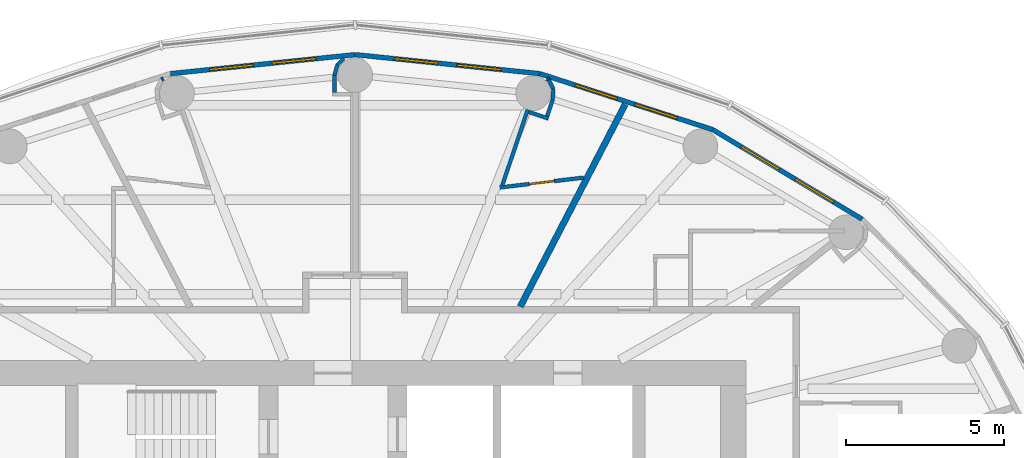
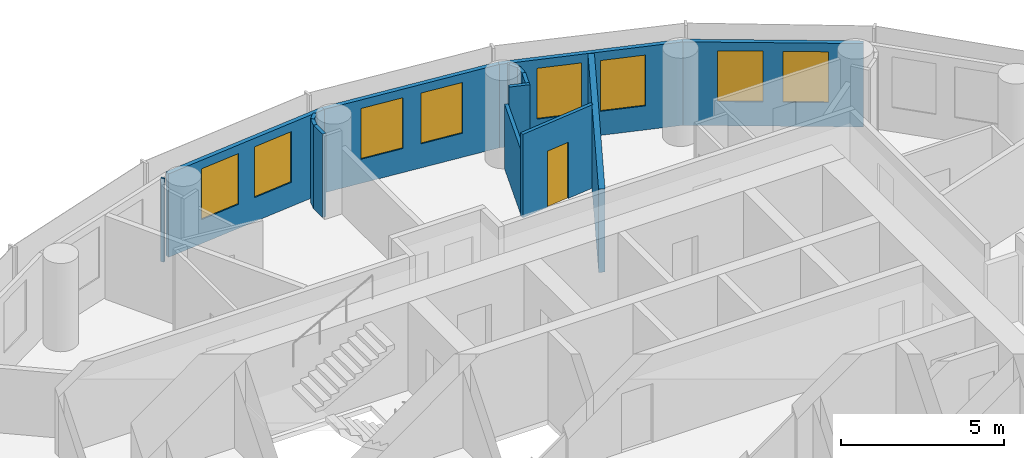
# One storey, part 13 of 16: 16 walls, 8 windows, 1 door, 9 openings.
"""IFC4 building model written with IfcOpenShell, lengths in metres."""

from ifc_helpers import new_model, si_unit, direction, frame, frame_2d, origin, place, context, subcontext, project, spatial, rectangle, extrude, material, layer, layer_set, type_object, element, fill, save


model = new_model("IFC4")

# Units and contexts
model_context = context("Model", 3, precision=1e-05, world=origin(), true_north=direction((0.0, 1.0)))
body_context = subcontext(model_context, "Body", "Model", "MODEL_VIEW")
ifc_project = project(units=[si_unit("LENGTHUNIT", "METRE"), si_unit("AREAUNIT", "SQUARE_METRE"), si_unit("VOLUMEUNIT", "CUBIC_METRE"), si_unit("PLANEANGLEUNIT", "RADIAN"), si_unit("MASSUNIT", "GRAM", prefix="KILO")], contexts=[model_context])

# Site, building, storey
site_placement = place(None, origin())
site = spatial("IfcSite", under=ifc_project, at=site_placement, CompositionType="ELEMENT")
building_placement = place(site_placement, origin())
building = spatial("IfcBuilding", under=site, at=building_placement, Name="Hankou Lantern Tower", CompositionType="ELEMENT")
storey_placement = place(building_placement, frame((0.0, 0.0, 146.699951171875)))
storey = spatial("IfcBuildingStorey", under=building, at=storey_placement, Name="L38", CompositionType="ELEMENT", Elevation=146.699951171875)

# Wall, openings, windows
ifc_material_1 = material(Name="Aluminium spandrel panel on steel studs", Category="steel")
ifc_layer_1 = layer(ifc_material_1, 0.14990234375)
ifc_layer_set_1 = layer_set([ifc_layer_1], Name="Aluminium spandrel panel on steel studs")
wall_type_1 = type_object("IfcWallType", Name="EW1 INNER SKIN WALL 150", PredefinedType="ELEMENTEDWALL", material=ifc_layer_set_1)
wall_1_placement = place(storey_placement, frame((16.0947265625, 12.875732421875, 0.0), z_axis=(0.0, 0.0, 1.0), x_axis=(-0.857695199231, 0.514158482587, 0.0)))
wall_1 = element("IfcWall", 1, at=wall_1_placement, inside=storey, type_object=wall_type_1, Name="Inner skin R04-R05 L38", PredefinedType="ELEMENTEDWALL", context=body_context, shape_type="SweptSolid", body=[
    extrude(rectangle(XDim=5.5361328125, YDim=0.14990234375, at=frame_2d((2.76806640625, 0.0))), origin(), (0.0, 0.0, 1.0), 3.1201171875),
])
opening_1_placement = place(wall_1_placement, frame((1.068115234375, 0.0, 0.89990234375)))
opening_1 = element("IfcOpeningElement", 2, at=opening_1_placement, cuts=wall_1, Name="Opening W3", PredefinedType="OPENING", context=body_context, shape_type="SweptSolid", body=[
    extrude(rectangle(XDim=1.39990234375, YDim=1.89990234375, at=frame_2d((0.699951171875, 0.949951171875))), frame((0.0, 0.0849609375, 0.0), z_axis=(0.0, -1.0, 0.0), x_axis=(1.0, 0.0, 0.0)), (0.0, 0.0, 1.0), 0.169921875),
])
opening_2_placement = place(wall_1_placement, frame((3.068115234375, 0.0, 0.89990234375)))
opening_2 = element("IfcOpeningElement", 3, at=opening_2_placement, cuts=wall_1, Name="Opening W3", PredefinedType="OPENING", context=body_context, shape_type="SweptSolid", body=[
    extrude(rectangle(XDim=1.39990234375, YDim=1.89990234375, at=frame_2d((0.699951171875, 0.949951171875))), frame((0.0, 0.0849609375, 0.0), z_axis=(0.0, -1.0, 0.0), x_axis=(1.0, 0.0, 0.0)), (0.0, 0.0, 1.0), 0.169921875),
])
ifc_material_2 = material(Name="Aluminium framed double glazed window", Category="aluminium")
window_type = type_object("IfcWindowType", Name="W3 GUEST ROOM WINDOW 1400X1900", PartitioningType="DOUBLE_PANEL_VERTICAL", PredefinedType="WINDOW", material=ifc_material_2)
window_1_placement = place(opening_1_placement, origin())
window_1 = element("IfcWindow", 4, at=window_1_placement, inside=storey, type_object=window_type, Name="Window R04.1 L38", OverallHeight=1.89990234375, OverallWidth=1.39990234375, PartitioningType="SINGLE_PANEL", PredefinedType="WINDOW", context=body_context, shape_type="SweptSolid", body=[
    extrude(rectangle(XDim=1.39990234375, YDim=1.89990234375, at=frame_2d((0.699951171875, 0.949951171875))), frame((0.0, 0.030029296875, 0.0), z_axis=(0.0, -1.0, 0.0), x_axis=(1.0, 0.0, 0.0)), (0.0, 0.0, 1.0), 0.06005859375),
])
fill(opening_1, window_1)
window_2_placement = place(opening_2_placement, origin())
window_2 = element("IfcWindow", 5, at=window_2_placement, inside=storey, type_object=window_type, Name="Window R04.2 L38", OverallHeight=1.89990234375, OverallWidth=1.39990234375, PartitioningType="SINGLE_PANEL", PredefinedType="WINDOW", context=body_context, shape_type="SweptSolid", body=[
    extrude(rectangle(XDim=1.39990234375, YDim=1.89990234375, at=frame_2d((0.699951171875, 0.949951171875))), frame((0.0, 0.030029296875, 0.0), z_axis=(0.0, -1.0, 0.0), x_axis=(1.0, 0.0, 0.0)), (0.0, 0.0, 1.0), 0.06005859375),
])
fill(opening_2, window_2)

wall_2_placement = place(storey_placement, frame((11.346435546875, 15.72216796875, 0.0), z_axis=(0.0, 0.0, 1.0), x_axis=(-0.951432482129, 0.307857486429, 0.0)))
wall_2 = element("IfcWall", 6, at=wall_2_placement, inside=storey, type_object=wall_type_1, Name="Inner skin R05-R06 L38", PredefinedType="ELEMENTEDWALL", context=body_context, shape_type="SweptSolid", body=[
    extrude(rectangle(XDim=5.76611328125, YDim=0.14990234375, at=frame_2d((2.883056640625, 0.0))), origin(), (0.0, 0.0, 1.0), 3.1201171875),
])
opening_3_placement = place(wall_2_placement, frame((1.18310546875, 0.0, 0.89990234375)))
opening_3 = element("IfcOpeningElement", 7, at=opening_3_placement, cuts=wall_2, Name="Opening W3", PredefinedType="OPENING", context=body_context, shape_type="SweptSolid", body=[
    extrude(rectangle(XDim=1.39990234375, YDim=1.89990234375, at=frame_2d((0.699951171875, 0.949951171875))), frame((0.0, 0.0849609375, 0.0), z_axis=(0.0, -1.0, 0.0), x_axis=(1.0, 0.0, 0.0)), (0.0, 0.0, 1.0), 0.169921875),
])
opening_4_placement = place(wall_2_placement, frame((3.18310546875, 0.0, 0.89990234375)))
opening_4 = element("IfcOpeningElement", 8, at=opening_4_placement, cuts=wall_2, Name="Opening W3", PredefinedType="OPENING", context=body_context, shape_type="SweptSolid", body=[
    extrude(rectangle(XDim=1.39990234375, YDim=1.89990234375, at=frame_2d((0.699951171875, 0.949951171875))), frame((0.0, 0.0849609375, 0.0), z_axis=(0.0, -1.0, 0.0), x_axis=(1.0, 0.0, 0.0)), (0.0, 0.0, 1.0), 0.169921875),
])
window_3_placement = place(opening_3_placement, origin())
window_3 = element("IfcWindow", 9, at=window_3_placement, inside=storey, type_object=window_type, Name="Window R05.1 L38", OverallHeight=1.89990234375, OverallWidth=1.39990234375, PartitioningType="SINGLE_PANEL", PredefinedType="WINDOW", context=body_context, shape_type="SweptSolid", body=[
    extrude(rectangle(XDim=1.39990234375, YDim=1.89990234375, at=frame_2d((0.699951171875, 0.949951171875))), frame((0.0, 0.030029296875, 0.0), z_axis=(0.0, -1.0, 0.0), x_axis=(1.0, 0.0, 0.0)), (0.0, 0.0, 1.0), 0.06005859375),
])
fill(opening_3, window_3)
window_4_placement = place(opening_4_placement, origin())
window_4 = element("IfcWindow", 10, at=window_4_placement, inside=storey, type_object=window_type, Name="Window R05.2 L38", OverallHeight=1.89990234375, OverallWidth=1.39990234375, PartitioningType="SINGLE_PANEL", PredefinedType="WINDOW", context=body_context, shape_type="SweptSolid", body=[
    extrude(rectangle(XDim=1.39990234375, YDim=1.89990234375, at=frame_2d((0.699951171875, 0.949951171875))), frame((0.0, 0.030029296875, 0.0), z_axis=(0.0, -1.0, 0.0), x_axis=(1.0, 0.0, 0.0)), (0.0, 0.0, 1.0), 0.06005859375),
])
fill(opening_4, window_4)

wall_3_placement = place(storey_placement, frame((5.8603515625, 17.497314453125, 0.0), z_axis=(0.0, 0.0, 1.0), x_axis=(-0.994751738032, 0.102318032045, 0.0)))
wall_3 = element("IfcWall", 11, at=wall_3_placement, inside=storey, type_object=wall_type_1, Name="Inner skin R06-R07 L38", PredefinedType="ELEMENTEDWALL", context=body_context, shape_type="SweptSolid", body=[
    extrude(rectangle(XDim=5.891357421875, YDim=0.14990234375, at=frame_2d((2.94580078125, 0.0))), origin(), (0.0, 0.0, 1.0), 3.1201171875),
])
opening_5_placement = place(wall_3_placement, frame((1.24560546875, 0.0, 0.89990234375)))
opening_5 = element("IfcOpeningElement", 12, at=opening_5_placement, cuts=wall_3, Name="Opening W3", PredefinedType="OPENING", context=body_context, shape_type="SweptSolid", body=[
    extrude(rectangle(XDim=1.39990234375, YDim=1.89990234375, at=frame_2d((0.699951171875, 0.949951171875))), frame((0.0, 0.0849609375, 0.0), z_axis=(0.0, -1.0, 0.0), x_axis=(1.0, 0.0, 0.0)), (0.0, 0.0, 1.0), 0.169921875),
])
opening_6_placement = place(wall_3_placement, frame((3.24560546875, 0.0, 0.89990234375)))
opening_6 = element("IfcOpeningElement", 13, at=opening_6_placement, cuts=wall_3, Name="Opening W3", PredefinedType="OPENING", context=body_context, shape_type="SweptSolid", body=[
    extrude(rectangle(XDim=1.39990234375, YDim=1.89990234375, at=frame_2d((0.699951171875, 0.949951171875))), frame((0.0, 0.0849609375, 0.0), z_axis=(0.0, -1.0, 0.0), x_axis=(1.0, 0.0, 0.0)), (0.0, 0.0, 1.0), 0.169921875),
])
window_5_placement = place(opening_5_placement, origin())
window_5 = element("IfcWindow", 14, at=window_5_placement, inside=storey, type_object=window_type, Name="Window R06.1 L38", OverallHeight=1.89990234375, OverallWidth=1.39990234375, PartitioningType="SINGLE_PANEL", PredefinedType="WINDOW", context=body_context, shape_type="SweptSolid", body=[
    extrude(rectangle(XDim=1.39990234375, YDim=1.89990234375, at=frame_2d((0.699951171875, 0.949951171875))), frame((0.0, 0.030029296875, 0.0), z_axis=(0.0, -1.0, 0.0), x_axis=(1.0, 0.0, 0.0)), (0.0, 0.0, 1.0), 0.06005859375),
])
fill(opening_5, window_5)
window_6_placement = place(opening_6_placement, origin())
window_6 = element("IfcWindow", 15, at=window_6_placement, inside=storey, type_object=window_type, Name="Window R06.2 L38", OverallHeight=1.89990234375, OverallWidth=1.39990234375, PartitioningType="SINGLE_PANEL", PredefinedType="WINDOW", context=body_context, shape_type="SweptSolid", body=[
    extrude(rectangle(XDim=1.39990234375, YDim=1.89990234375, at=frame_2d((0.699951171875, 0.949951171875))), frame((0.0, 0.030029296875, 0.0), z_axis=(0.0, -1.0, 0.0), x_axis=(1.0, 0.0, 0.0)), (0.0, 0.0, 1.0), 0.06005859375),
])
fill(opening_6, window_6)

wall_4_placement = place(storey_placement, frame((0.0, 18.10009765625, 0.0), z_axis=(0.0, 0.0, 1.0), x_axis=(-0.994751738032, -0.102318032045, 0.0)))
wall_4 = element("IfcWall", 16, at=wall_4_placement, inside=storey, type_object=wall_type_1, Name="Inner skin R07-R08 L38", PredefinedType="ELEMENTEDWALL", context=body_context, shape_type="SweptSolid", body=[
    extrude(rectangle(XDim=5.891357421875, YDim=0.14990234375, at=frame_2d((2.94580078125, 0.0))), origin(), (0.0, 0.0, 1.0), 3.1201171875),
])
opening_7_placement = place(wall_4_placement, frame((1.24560546875, 0.0, 0.89990234375)))
opening_7 = element("IfcOpeningElement", 17, at=opening_7_placement, cuts=wall_4, Name="Opening W3", PredefinedType="OPENING", context=body_context, shape_type="SweptSolid", body=[
    extrude(rectangle(XDim=1.39990234375, YDim=1.89990234375, at=frame_2d((0.699951171875, 0.949951171875))), frame((0.0, 0.0849609375, 0.0), z_axis=(0.0, -1.0, 0.0), x_axis=(1.0, 0.0, 0.0)), (0.0, 0.0, 1.0), 0.169921875),
])
opening_8_placement = place(wall_4_placement, frame((3.24560546875, 0.0, 0.89990234375)))
opening_8 = element("IfcOpeningElement", 18, at=opening_8_placement, cuts=wall_4, Name="Opening W3", PredefinedType="OPENING", context=body_context, shape_type="SweptSolid", body=[
    extrude(rectangle(XDim=1.39990234375, YDim=1.89990234375, at=frame_2d((0.699951171875, 0.949951171875))), frame((0.0, 0.0849609375, 0.0), z_axis=(0.0, -1.0, 0.0), x_axis=(1.0, 0.0, 0.0)), (0.0, 0.0, 1.0), 0.169921875),
])
window_7_placement = place(opening_7_placement, origin())
window_7 = element("IfcWindow", 19, at=window_7_placement, inside=storey, type_object=window_type, Name="Window R07.1 L38", OverallHeight=1.89990234375, OverallWidth=1.39990234375, PartitioningType="SINGLE_PANEL", PredefinedType="WINDOW", context=body_context, shape_type="SweptSolid", body=[
    extrude(rectangle(XDim=1.39990234375, YDim=1.89990234375, at=frame_2d((0.699951171875, 0.949951171875))), frame((0.0, 0.030029296875, 0.0), z_axis=(0.0, -1.0, 0.0), x_axis=(1.0, 0.0, 0.0)), (0.0, 0.0, 1.0), 0.06005859375),
])
fill(opening_7, window_7)
window_8_placement = place(opening_8_placement, origin())
window_8 = element("IfcWindow", 20, at=window_8_placement, inside=storey, type_object=window_type, Name="Window R07.2 L38", OverallHeight=1.89990234375, OverallWidth=1.39990234375, PartitioningType="SINGLE_PANEL", PredefinedType="WINDOW", context=body_context, shape_type="SweptSolid", body=[
    extrude(rectangle(XDim=1.39990234375, YDim=1.89990234375, at=frame_2d((0.699951171875, 0.949951171875))), frame((0.0, 0.030029296875, 0.0), z_axis=(0.0, -1.0, 0.0), x_axis=(1.0, 0.0, 0.0)), (0.0, 0.0, 1.0), 0.06005859375),
])
fill(opening_8, window_8)

# Wall
ifc_material_3 = material(Name="Masonry lightweight concrete block", Category="masonry")
ifc_layer_2 = layer(ifc_material_3, 0.199951171875)
ifc_layer_set_2 = layer_set([ifc_layer_2], Name="Masonry lightweight concrete block")
wall_type_2 = type_object("IfcWallType", Name="IW1 GUEST ROOM PARTY WALL 200", PredefinedType="PARTITIONING", material=ifc_layer_set_2)
wall_5_placement = place(storey_placement, frame((5.239990234375, 10.10009765625, 0.0), z_axis=(0.0, 0.0, 1.0), x_axis=(0.460532965373, 0.887642601391, 0.0)))
element("IfcWall", 21, at=wall_5_placement, inside=storey, type_object=wall_type_2, Name="Party wall R05-R06", PredefinedType="PARTITIONING", context=body_context, shape_type="SweptSolid", body=[
    extrude(rectangle(XDim=7.2314453125, YDim=0.199951171875, at=frame_2d((3.61572265625, 0.0))), origin(), (0.0, 0.0, 1.0), 3.1201171875),
])

# Wall, opening, door
ifc_material_4 = material(Name="Masonry lightweight concrete block", Category="masonry")
ifc_layer_3 = layer(ifc_material_4, 0.1201171875)
ifc_layer_set_3 = layer_set([ifc_layer_3], Name="Masonry lightweight concrete block")
wall_type_3 = type_object("IfcWallType", Name="IW3 BATHROOM WALL 120", PredefinedType="PARTITIONING", material=ifc_layer_set_3)
wall_6_placement = place(storey_placement, frame((7.2529296875, 14.197021484375, 0.0), z_axis=(0.0, 0.0, 1.0), x_axis=(-0.993128188393, -0.117031625725, 0.0)))
wall_6 = element("IfcWall", 22, at=wall_6_placement, inside=storey, type_object=wall_type_3, Name="Box wall 3803 1", PredefinedType="PARTITIONING", context=body_context, shape_type="SweptSolid", body=[
    extrude(rectangle(XDim=2.678466796875, YDim=0.1201171875, at=frame_2d((1.33935546875, 0.0))), origin(), (0.0, 0.0, 1.0), 3.1201171875),
])
opening_9_placement = place(wall_6_placement, frame((0.939208984375, 0.0, 0.0)))
opening_9 = element("IfcOpeningElement", 23, at=opening_9_placement, cuts=wall_6, Name="Opening D3", PredefinedType="OPENING", context=body_context, shape_type="SweptSolid", body=[
    extrude(rectangle(XDim=0.800048828125, YDim=2.10009765625, at=frame_2d((0.39990234375, 1.050048828125))), frame((0.0, 0.070068359375, 0.0), z_axis=(0.0, -1.0, 0.0), x_axis=(1.0, 0.0, 0.0)), (0.0, 0.0, 1.0), 0.14013671875),
])
ifc_material_5 = material(Name="Timber door leaf", Category="wood")
door_type = type_object("IfcDoorType", Name="D3 BATHROOM DOOR 800X2100", OperationType="SINGLE_SWING_LEFT", PredefinedType="DOOR", material=ifc_material_5)
door_placement = place(opening_9_placement, origin())
door = element("IfcDoor", 24, at=door_placement, inside=storey, type_object=door_type, Name="En-suite bathroom 3803 door", OperationType="SINGLE_SWING_LEFT", OverallHeight=2.10009765625, OverallWidth=0.800048828125, PredefinedType="DOOR", context=body_context, shape_type="SweptSolid", body=[
    extrude(rectangle(XDim=0.800048828125, YDim=2.10009765625, at=frame_2d((0.39990234375, 1.050048828125))), frame((0.0, 0.02490234375, 0.0), z_axis=(0.0, -1.0, 0.0), x_axis=(1.0, 0.0, 0.0)), (0.0, 0.0, 1.0), 0.050048828125),
])
fill(opening_9, door)

# Walls
wall_7_placement = place(storey_placement, frame((4.67138671875, 13.947509765625, 0.0), z_axis=(0.0, 0.0, 1.0), x_axis=(0.317669167093, 0.948201613729, 0.0)))
element("IfcWall", 25, at=wall_7_placement, inside=storey, type_object=wall_type_3, Name="Box wall 3803 2", PredefinedType="PARTITIONING", context=body_context, shape_type="SweptSolid", body=[
    extrude(rectangle(XDim=2.5400390625, YDim=0.1201171875, at=frame_2d((1.27001953125, 0.0))), origin(), (0.0, 0.0, 1.0), 2.420166015625),
])
wall_8_placement = place(storey_placement, frame((5.51611328125, 16.280029296875, 0.0), z_axis=(0.0, 0.0, 1.0), x_axis=(0.948157944392, -0.317799484717, 0.0)))
element("IfcWall", 26, at=wall_8_placement, inside=storey, type_object=wall_type_3, Name="Column casing 3803 return", PredefinedType="PARTITIONING", context=body_context, shape_type="SweptSolid", body=[
    extrude(rectangle(XDim=0.652099609375, YDim=0.1201171875, at=frame_2d((0.326171875, 0.0))), origin(), (0.0, 0.0, 1.0), 3.1201171875),
])
wall_9_placement = place(storey_placement, frame((6.0966796875, 16.148681640625, 0.0), z_axis=(0.0, 0.0, 1.0), x_axis=(0.317292604854, 0.948327687514, 0.0)))
element("IfcWall", 27, at=wall_9_placement, inside=storey, type_object=wall_type_3, Name="Column casing 3803", PredefinedType="PARTITIONING", context=body_context, shape_type="SweptSolid", body=[
    extrude(rectangle(XDim=0.550048828125, YDim=0.1201171875, at=frame_2d((0.27490234375, 0.0))), origin(), (0.0, 0.0, 1.0), 3.1201171875),
])
for number, where, z_axis, x_axis, name in (
    (28, (6.271240234375, 16.67041015625, 0.0), (0.0, 0.0, 1.0), (0.061477694849, 0.998108457552, 0.0), "Column casing 3803"),
    (29, (6.2919921875, 17.00732421875, 0.0), (0.0, 0.0, 1.0), (-0.445477128334, 0.895293319606, 0.0), "Column casing 3803"),
):
    element("IfcWall", number, at=place(storey_placement, frame(where, z_axis=z_axis, x_axis=x_axis)), inside=storey, type_object=wall_type_3, Name=name, PredefinedType="PARTITIONING", context=body_context, shape_type="SweptSolid", body=[
        extrude(rectangle(XDim=0.337646484375, YDim=0.1201171875, at=frame_2d((0.1689453125, 0.0))), origin(), (0.0, 0.0, 1.0), 3.1201171875),
    ])
for number, where, z_axis, x_axis, name in (
    (30, (6.1416015625, 17.3095703125, 0.0), (0.0, 0.0, 1.0), (-0.835039693181, 0.550189704386, 0.0), "Column casing 3803"),
    (31, (-6.1416015625, 17.3095703125, 0.0), (0.0, 0.0, 1.0), (0.835039693181, 0.550189704386, 0.0), "Column casing 3804"),
):
    element("IfcWall", number, at=place(storey_placement, frame(where, z_axis=z_axis, x_axis=x_axis)), inside=storey, type_object=wall_type_3, Name=name, PredefinedType="PARTITIONING", context=body_context, shape_type="SweptSolid", body=[
        extrude(rectangle(XDim=0.0625, YDim=0.1201171875, at=frame_2d((0.03125, 0.0))), origin(), (0.0, 0.0, 1.0), 3.1201171875),
    ])
ifc_material_6 = material(Name="Masonry lightweight concrete block", Category="masonry")
ifc_layer_4 = layer(ifc_material_6, 0.1201171875)
ifc_layer_set_4 = layer_set([ifc_layer_4], Name="Masonry lightweight concrete block")
wall_type_4 = type_object("IfcWallType", Name="IW4 PARTITION 120", PredefinedType="PARTITIONING", material=ifc_layer_set_4)
wall_10_placement = place(storey_placement, frame((-0.65234375, 16.89990234375, 0.0), z_axis=(0.0, 0.0, 1.0), x_axis=(0.0, 1.0, 0.0)))
element("IfcWall", 32, at=wall_10_placement, inside=storey, type_object=wall_type_4, Name="Column casing R07", PredefinedType="PARTITIONING", context=body_context, shape_type="SweptSolid", body=[
    extrude(rectangle(XDim=0.550048828125, YDim=0.1201171875, at=frame_2d((0.27490234375, 0.0))), origin(), (0.0, 0.0, 1.0), 3.1201171875),
])
wall_11_placement = place(storey_placement, frame((-0.65234375, 17.449951171875, 0.0), z_axis=(0.0, 0.0, 1.0), x_axis=(0.258832454679, 0.965922233104, 0.0)))
element("IfcWall", 33, at=wall_11_placement, inside=storey, type_object=wall_type_4, Name="Column casing R07", PredefinedType="PARTITIONING", context=body_context, shape_type="SweptSolid", body=[
    extrude(rectangle(XDim=0.337646484375, YDim=0.1201171875, at=frame_2d((0.1689453125, 0.0))), origin(), (0.0, 0.0, 1.0), 3.1201171875),
])
wall_12_placement = place(storey_placement, frame((-0.56494140625, 17.776123046875, 0.0), z_axis=(0.0, 0.0, 1.0), x_axis=(0.707106781187, 0.707106781187, 0.0)))
element("IfcWall", 34, at=wall_12_placement, inside=storey, type_object=wall_type_4, Name="Column casing R07", PredefinedType="PARTITIONING", context=body_context, shape_type="SweptSolid", body=[
    extrude(rectangle(XDim=0.30078125, YDim=0.1201171875, at=frame_2d((0.150390625, 0.0))), origin(), (0.0, 0.0, 1.0), 3.1201171875),
])

save(model, "model.ifc")
